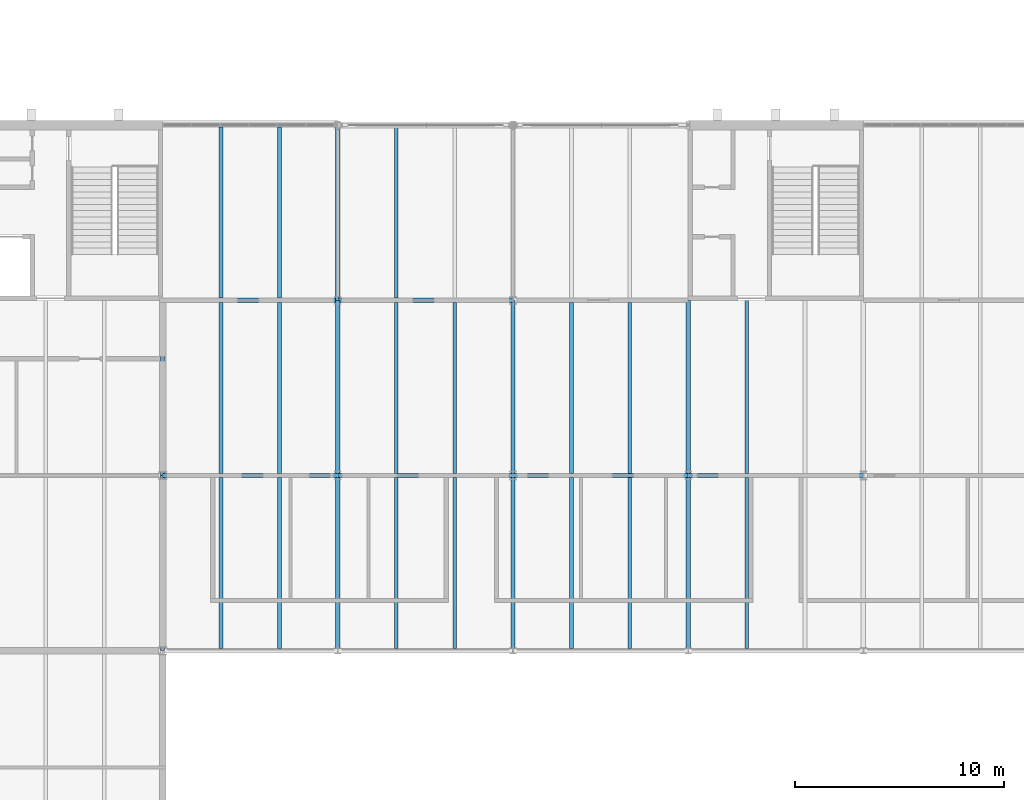
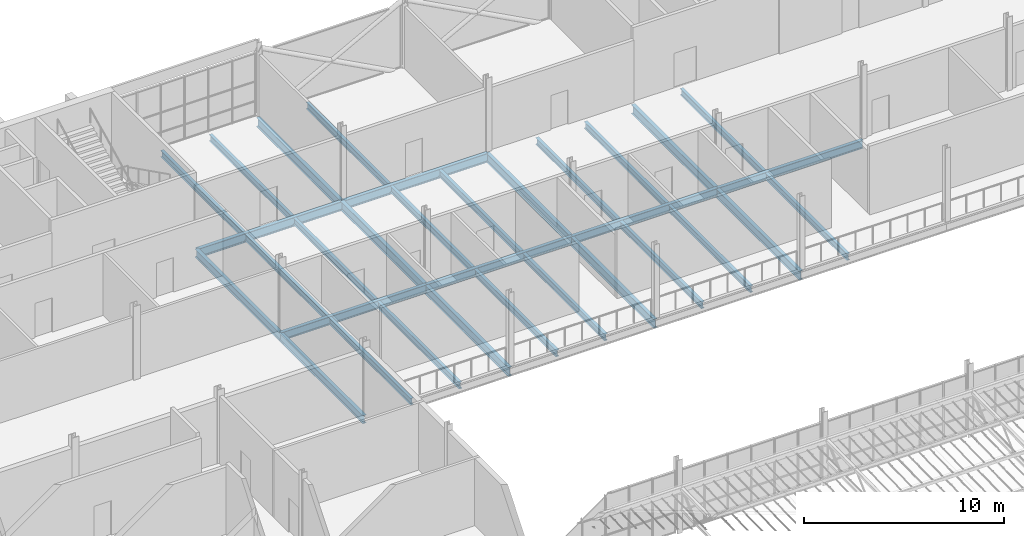
# One storey, part 48 of 129: 32 beams.
"""IFC4 building model written with IfcOpenShell, lengths in metres."""

from ifc_helpers import new_model, si_unit, direction, frame, origin, origin_2d, place, context, subcontext, project, spatial, i_section, extrude, material, material_profile, profile_set, type_object, element, save


model = new_model("IFC4")

# Units and contexts
model_context = context("Model", 3, precision=1e-05, world=origin(), true_north=direction((0.0, 1.0)))
body_context = subcontext(model_context, "Body", "Model", "MODEL_VIEW")
ifc_project = project(units=[si_unit("LENGTHUNIT", "METRE"), si_unit("AREAUNIT", "SQUARE_METRE"), si_unit("VOLUMEUNIT", "CUBIC_METRE"), si_unit("PLANEANGLEUNIT", "RADIAN"), si_unit("MASSUNIT", "GRAM", prefix="KILO")], contexts=[model_context])

# Site, building, storey
site_placement = place(None, origin())
site = spatial("IfcSite", under=ifc_project, at=site_placement, CompositionType="ELEMENT")
building_placement = place(site_placement, origin())
building = spatial("IfcBuilding", under=site, at=building_placement, Name="Ardhachandra Cancer Care Centre", CompositionType="ELEMENT")
storey_placement = place(building_placement, frame((0.0, 0.0, 4.5)))
storey = spatial("IfcBuildingStorey", under=building, at=storey_placement, Name="L01", CompositionType="ELEMENT", Elevation=4.5)

# Beams
ifc_material_1 = material(Name="Steel E350 (IS 2062)", Category="steel")
ifc_material_profile_1 = material_profile(ifc_material_1, i_section(OverallWidth=0.179931640625, OverallDepth=0.39990234375, WebThickness=0.008544921875, FlangeThickness=0.013427734375, FilletRadius=0.02099609375, at=origin_2d()), Name="NPB 400x180x66.30")
ifc_profile_set_1 = profile_set([ifc_material_profile_1], Name="Steel E350 (IS 2062)")
beam_type_1 = type_object("IfcBeamType", Name="Beam NPB 400x180x66.30", PredefinedType="BEAM", material=ifc_profile_set_1)
beam_1_placement = place(storey_placement, frame((47.199951171875, 71.5, -0.35009765625), z_axis=(0.0, 1.0, 0.0), x_axis=(-1.0, 0.0, 0.0)))
element("IfcBeam", 1, at=beam_1_placement, inside=storey, type_object=beam_type_1, Name="Secondary H5-J5@2800", PredefinedType="BEAM", context=body_context, shape_type="SweptSolid", body=[
    extrude(i_section(OverallWidth=0.179931640625, OverallDepth=0.39990234375, WebThickness=0.008544921875, FlangeThickness=0.013427734375, FilletRadius=0.02099609375, at=origin_2d()), origin(), (0.0, 0.0, 1.0), 8.199951171875),
])
for number, where, z_axis, x_axis, name in (
    (2, (47.199951171875, 79.89990234375, -0.35009765625), (0.0, 1.0, 0.0), (-1.0, 0.0, 0.0), "Secondary J5-K5@2800"),
    (3, (47.199951171875, 88.304931640625, -0.35009765625), (0.0, 1.0, 0.0), (-1.0, 0.0, 0.0), "Secondary K5-L5@2800"),
):
    element("IfcBeam", number, at=place(storey_placement, frame(where, z_axis=z_axis, x_axis=x_axis)), inside=storey, type_object=beam_type_1, Name=name, PredefinedType="BEAM", context=body_context, shape_type="SweptSolid", body=[
        extrude(i_section(OverallWidth=0.179931640625, OverallDepth=0.39990234375, WebThickness=0.008544921875, FlangeThickness=0.013427734375, FilletRadius=0.02099609375, at=origin_2d()), origin(), (0.0, 0.0, 1.0), 8.195068359375),
    ])
beam_2_placement = place(storey_placement, frame((50.0, 71.5, -0.35009765625), z_axis=(0.0, 1.0, 0.0), x_axis=(-1.0, 0.0, 0.0)))
element("IfcBeam", 4, at=beam_2_placement, inside=storey, type_object=beam_type_1, Name="Secondary H5-J5@5600", PredefinedType="BEAM", context=body_context, shape_type="SweptSolid", body=[
    extrude(i_section(OverallWidth=0.179931640625, OverallDepth=0.39990234375, WebThickness=0.008544921875, FlangeThickness=0.013427734375, FilletRadius=0.02099609375, at=origin_2d()), origin(), (0.0, 0.0, 1.0), 8.199951171875),
])
for number, where, z_axis, x_axis, name in (
    (5, (50.0, 79.89990234375, -0.35009765625), (0.0, 1.0, 0.0), (-1.0, 0.0, 0.0), "Secondary J5-K5@5600"),
    (6, (50.0, 88.304931640625, -0.35009765625), (0.0, 1.0, 0.0), (-1.0, 0.0, 0.0), "Secondary K5-L5@5600"),
):
    element("IfcBeam", number, at=place(storey_placement, frame(where, z_axis=z_axis, x_axis=x_axis)), inside=storey, type_object=beam_type_1, Name=name, PredefinedType="BEAM", context=body_context, shape_type="SweptSolid", body=[
        extrude(i_section(OverallWidth=0.179931640625, OverallDepth=0.39990234375, WebThickness=0.008544921875, FlangeThickness=0.013427734375, FilletRadius=0.02099609375, at=origin_2d()), origin(), (0.0, 0.0, 1.0), 8.195068359375),
    ])
beam_3_placement = place(storey_placement, frame((55.60009765625, 71.5, -0.35009765625), z_axis=(0.0, 1.0, 0.0), x_axis=(-1.0, 0.0, 0.0)))
element("IfcBeam", 7, at=beam_3_placement, inside=storey, type_object=beam_type_1, Name="Secondary H6-J6@2800", PredefinedType="BEAM", context=body_context, shape_type="SweptSolid", body=[
    extrude(i_section(OverallWidth=0.179931640625, OverallDepth=0.39990234375, WebThickness=0.008544921875, FlangeThickness=0.013427734375, FilletRadius=0.02099609375, at=origin_2d()), origin(), (0.0, 0.0, 1.0), 8.199951171875),
])
for number, where, z_axis, x_axis, name in (
    (8, (55.60009765625, 79.89990234375, -0.35009765625), (0.0, 1.0, 0.0), (-1.0, 0.0, 0.0), "Secondary J6-K6@2800"),
    (9, (55.60009765625, 88.304931640625, -0.35009765625), (0.0, 1.0, 0.0), (-1.0, 0.0, 0.0), "Secondary K6-L6@2800"),
):
    element("IfcBeam", number, at=place(storey_placement, frame(where, z_axis=z_axis, x_axis=x_axis)), inside=storey, type_object=beam_type_1, Name=name, PredefinedType="BEAM", context=body_context, shape_type="SweptSolid", body=[
        extrude(i_section(OverallWidth=0.179931640625, OverallDepth=0.39990234375, WebThickness=0.008544921875, FlangeThickness=0.013427734375, FilletRadius=0.02099609375, at=origin_2d()), origin(), (0.0, 0.0, 1.0), 8.195068359375),
    ])
beam_4_placement = place(storey_placement, frame((58.39990234375, 71.5, -0.35009765625), z_axis=(0.0, 1.0, 0.0), x_axis=(-1.0, 0.0, 0.0)))
element("IfcBeam", 10, at=beam_4_placement, inside=storey, type_object=beam_type_1, Name="Secondary H6-J6@5600", PredefinedType="BEAM", context=body_context, shape_type="SweptSolid", body=[
    extrude(i_section(OverallWidth=0.179931640625, OverallDepth=0.39990234375, WebThickness=0.008544921875, FlangeThickness=0.013427734375, FilletRadius=0.02099609375, at=origin_2d()), origin(), (0.0, 0.0, 1.0), 8.199951171875),
])
beam_5_placement = place(storey_placement, frame((58.39990234375, 79.89990234375, -0.35009765625), z_axis=(0.0, 1.0, 0.0), x_axis=(-1.0, 0.0, 0.0)))
element("IfcBeam", 11, at=beam_5_placement, inside=storey, type_object=beam_type_1, Name="Secondary J6-K6@5600", PredefinedType="BEAM", context=body_context, shape_type="SweptSolid", body=[
    extrude(i_section(OverallWidth=0.179931640625, OverallDepth=0.39990234375, WebThickness=0.008544921875, FlangeThickness=0.013427734375, FilletRadius=0.02099609375, at=origin_2d()), origin(), (0.0, 0.0, 1.0), 8.195068359375),
])
beam_6_placement = place(storey_placement, frame((64.0, 71.5, -0.35009765625), z_axis=(0.0, 1.0, 0.0), x_axis=(-1.0, 0.0, 0.0)))
element("IfcBeam", 12, at=beam_6_placement, inside=storey, type_object=beam_type_1, Name="Secondary H7-J7@2800", PredefinedType="BEAM", context=body_context, shape_type="SweptSolid", body=[
    extrude(i_section(OverallWidth=0.179931640625, OverallDepth=0.39990234375, WebThickness=0.008544921875, FlangeThickness=0.013427734375, FilletRadius=0.02099609375, at=origin_2d()), origin(), (0.0, 0.0, 1.0), 8.199951171875),
])
beam_7_placement = place(storey_placement, frame((64.0, 79.89990234375, -0.35009765625), z_axis=(0.0, 1.0, 0.0), x_axis=(-1.0, 0.0, 0.0)))
element("IfcBeam", 13, at=beam_7_placement, inside=storey, type_object=beam_type_1, Name="Secondary J7-K7@2800", PredefinedType="BEAM", context=body_context, shape_type="SweptSolid", body=[
    extrude(i_section(OverallWidth=0.179931640625, OverallDepth=0.39990234375, WebThickness=0.008544921875, FlangeThickness=0.013427734375, FilletRadius=0.02099609375, at=origin_2d()), origin(), (0.0, 0.0, 1.0), 8.195068359375),
])
beam_8_placement = place(storey_placement, frame((66.800048828125, 71.5, -0.35009765625), z_axis=(0.0, 1.0, 0.0), x_axis=(-1.0, 0.0, 0.0)))
element("IfcBeam", 14, at=beam_8_placement, inside=storey, type_object=beam_type_1, Name="Secondary H7-J7@5600", PredefinedType="BEAM", context=body_context, shape_type="SweptSolid", body=[
    extrude(i_section(OverallWidth=0.179931640625, OverallDepth=0.39990234375, WebThickness=0.008544921875, FlangeThickness=0.013427734375, FilletRadius=0.02099609375, at=origin_2d()), origin(), (0.0, 0.0, 1.0), 8.199951171875),
])
beam_9_placement = place(storey_placement, frame((66.800048828125, 79.89990234375, -0.35009765625), z_axis=(0.0, 1.0, 0.0), x_axis=(-1.0, 0.0, 0.0)))
element("IfcBeam", 15, at=beam_9_placement, inside=storey, type_object=beam_type_1, Name="Secondary J7-K7@5600", PredefinedType="BEAM", context=body_context, shape_type="SweptSolid", body=[
    extrude(i_section(OverallWidth=0.179931640625, OverallDepth=0.39990234375, WebThickness=0.008544921875, FlangeThickness=0.013427734375, FilletRadius=0.02099609375, at=origin_2d()), origin(), (0.0, 0.0, 1.0), 8.195068359375),
])
beam_10_placement = place(storey_placement, frame((72.39990234375, 71.5, -0.35009765625), z_axis=(0.0, 1.0, 0.0), x_axis=(-1.0, 0.0, 0.0)))
element("IfcBeam", 16, at=beam_10_placement, inside=storey, type_object=beam_type_1, Name="Secondary H8-J8@2800", PredefinedType="BEAM", context=body_context, shape_type="SweptSolid", body=[
    extrude(i_section(OverallWidth=0.179931640625, OverallDepth=0.39990234375, WebThickness=0.008544921875, FlangeThickness=0.013427734375, FilletRadius=0.02099609375, at=origin_2d()), origin(), (0.0, 0.0, 1.0), 8.199951171875),
])
beam_11_placement = place(storey_placement, frame((72.39990234375, 79.89990234375, -0.35009765625), z_axis=(0.0, 1.0, 0.0), x_axis=(-1.0, 0.0, 0.0)))
element("IfcBeam", 17, at=beam_11_placement, inside=storey, type_object=beam_type_1, Name="Secondary J8-K8@2800", PredefinedType="BEAM", context=body_context, shape_type="SweptSolid", body=[
    extrude(i_section(OverallWidth=0.179931640625, OverallDepth=0.39990234375, WebThickness=0.008544921875, FlangeThickness=0.013427734375, FilletRadius=0.02099609375, at=origin_2d()), origin(), (0.0, 0.0, 1.0), 8.300048828125),
])
ifc_material_2 = material(Name="Steel E350 (IS 2062)", Category="steel")
ifc_material_profile_2 = material_profile(ifc_material_2, i_section(OverallWidth=0.199951171875, OverallDepth=0.5, WebThickness=0.01025390625, FlangeThickness=0.01611328125, FilletRadius=0.02099609375, at=origin_2d()), Name="NPB 500x200x90.68")
ifc_profile_set_2 = profile_set([ifc_material_profile_2], Name="Steel E350 (IS 2062)")
beam_type_2 = type_object("IfcBeamType", Name="Beam NPB 500x200x90.68", PredefinedType="BEAM", material=ifc_profile_set_2)
beam_12_placement = place(storey_placement, frame((44.39990234375, 79.800048828125, -0.39990234375), z_axis=(1.0, 0.0, 0.0), x_axis=(0.0, 1.0, 0.0)))
element("IfcBeam", 18, at=beam_12_placement, inside=storey, type_object=beam_type_2, Name="Edge girder J5-J6", PredefinedType="BEAM", context=body_context, shape_type="SweptSolid", body=[
    extrude(i_section(OverallWidth=0.199951171875, OverallDepth=0.5, WebThickness=0.01025390625, FlangeThickness=0.01611328125, FilletRadius=0.02099609375, at=origin_2d()), origin(), (0.0, 0.0, 1.0), 8.400146484375),
])
beam_13_placement = place(storey_placement, frame((52.800048828125, 79.800048828125, -0.39990234375), z_axis=(1.0, 0.0, 0.0), x_axis=(0.0, 1.0, 0.0)))
element("IfcBeam", 19, at=beam_13_placement, inside=storey, type_object=beam_type_2, Name="Edge girder J6-J7", PredefinedType="BEAM", context=body_context, shape_type="SweptSolid", body=[
    extrude(i_section(OverallWidth=0.199951171875, OverallDepth=0.5, WebThickness=0.01025390625, FlangeThickness=0.01611328125, FilletRadius=0.02099609375, at=origin_2d()), origin(), (0.0, 0.0, 1.0), 8.39990234375),
])
beam_14_placement = place(storey_placement, frame((61.199951171875, 79.800048828125, -0.39990234375), z_axis=(1.0, 0.0, 0.0), x_axis=(0.0, 1.0, 0.0)))
element("IfcBeam", 20, at=beam_14_placement, inside=storey, type_object=beam_type_2, Name="Edge girder J7-J8", PredefinedType="BEAM", context=body_context, shape_type="SweptSolid", body=[
    extrude(i_section(OverallWidth=0.199951171875, OverallDepth=0.5, WebThickness=0.01025390625, FlangeThickness=0.01611328125, FilletRadius=0.02099609375, at=origin_2d()), origin(), (0.0, 0.0, 1.0), 8.400146484375),
])
beam_15_placement = place(storey_placement, frame((69.60009765625, 79.800048828125, -0.39990234375), z_axis=(1.0, 0.0, 0.0), x_axis=(0.0, 1.0, 0.0)))
element("IfcBeam", 21, at=beam_15_placement, inside=storey, type_object=beam_type_2, Name="Edge girder J8-J9", PredefinedType="BEAM", context=body_context, shape_type="SweptSolid", body=[
    extrude(i_section(OverallWidth=0.199951171875, OverallDepth=0.5, WebThickness=0.01025390625, FlangeThickness=0.01611328125, FilletRadius=0.02099609375, at=origin_2d()), origin(), (0.0, 0.0, 1.0), 8.39990234375),
])
beam_16_placement = place(storey_placement, frame((44.39990234375, 71.39990234375, -0.39990234375), z_axis=(0.0, 1.0, 0.0), x_axis=(-1.0, 0.0, 0.0)))
element("IfcBeam", 22, at=beam_16_placement, inside=storey, type_object=beam_type_2, Name="Edge girder H5-J5", PredefinedType="BEAM", context=body_context, shape_type="SweptSolid", body=[
    extrude(i_section(OverallWidth=0.199951171875, OverallDepth=0.5, WebThickness=0.01025390625, FlangeThickness=0.01611328125, FilletRadius=0.02099609375, at=origin_2d()), origin(), (0.0, 0.0, 1.0), 8.400146484375),
])
beam_17_placement = place(storey_placement, frame((44.39990234375, 79.800048828125, -0.39990234375), z_axis=(0.0, 1.0, 0.0), x_axis=(-1.0, 0.0, 0.0)))
element("IfcBeam", 23, at=beam_17_placement, inside=storey, type_object=beam_type_2, Name="Edge girder J5-K5", PredefinedType="BEAM", context=body_context, shape_type="SweptSolid", body=[
    extrude(i_section(OverallWidth=0.199951171875, OverallDepth=0.5, WebThickness=0.01025390625, FlangeThickness=0.01611328125, FilletRadius=0.02099609375, at=origin_2d()), origin(), (0.0, 0.0, 1.0), 8.39990234375),
])
ifc_material_3 = material(Name="Steel E350 (IS 2062)", Category="steel")
ifc_material_profile_3 = material_profile(ifc_material_3, i_section(OverallWidth=0.2099609375, OverallDepth=0.550048828125, WebThickness=0.010986328125, FlangeThickness=0.01708984375, FilletRadius=0.02392578125, at=origin_2d()), Name="NPB 550x210x105.52")
ifc_profile_set_3 = profile_set([ifc_material_profile_3], Name="Steel E350 (IS 2062)")
beam_type_3 = type_object("IfcBeamType", Name="Beam NPB 550x210x105.52", PredefinedType="BEAM", material=ifc_profile_set_3)
beam_18_placement = place(storey_placement, frame((44.39990234375, 88.199951171875, -0.425048828125), z_axis=(1.0, 0.0, 0.0), x_axis=(0.0, 1.0, 0.0)))
element("IfcBeam", 24, at=beam_18_placement, inside=storey, type_object=beam_type_3, Name="Girder K5-K6", PredefinedType="BEAM", context=body_context, shape_type="SweptSolid", body=[
    extrude(i_section(OverallWidth=0.2099609375, OverallDepth=0.550048828125, WebThickness=0.010986328125, FlangeThickness=0.01708984375, FilletRadius=0.02392578125, at=origin_2d()), origin(), (0.0, 0.0, 1.0), 8.400146484375),
])
beam_19_placement = place(storey_placement, frame((52.800048828125, 88.199951171875, -0.425048828125), z_axis=(1.0, 0.0, 0.0), x_axis=(0.0, 1.0, 0.0)))
element("IfcBeam", 25, at=beam_19_placement, inside=storey, type_object=beam_type_3, Name="Girder K6-K7", PredefinedType="BEAM", context=body_context, shape_type="SweptSolid", body=[
    extrude(i_section(OverallWidth=0.2099609375, OverallDepth=0.550048828125, WebThickness=0.010986328125, FlangeThickness=0.01708984375, FilletRadius=0.02392578125, at=origin_2d()), origin(), (0.0, 0.0, 1.0), 8.39990234375),
])
beam_20_placement = place(storey_placement, frame((52.800048828125, 71.39990234375, -0.425048828125), z_axis=(0.0, 1.0, 0.0), x_axis=(-1.0, 0.0, 0.0)))
element("IfcBeam", 26, at=beam_20_placement, inside=storey, type_object=beam_type_3, Name="Girder H6-J6", PredefinedType="BEAM", context=body_context, shape_type="SweptSolid", body=[
    extrude(i_section(OverallWidth=0.2099609375, OverallDepth=0.550048828125, WebThickness=0.010986328125, FlangeThickness=0.01708984375, FilletRadius=0.02392578125, at=origin_2d()), origin(), (0.0, 0.0, 1.0), 8.400146484375),
])
beam_21_placement = place(storey_placement, frame((52.800048828125, 79.800048828125, -0.425048828125), z_axis=(0.0, 1.0, 0.0), x_axis=(-1.0, 0.0, 0.0)))
element("IfcBeam", 27, at=beam_21_placement, inside=storey, type_object=beam_type_3, Name="Girder J6-K6", PredefinedType="BEAM", context=body_context, shape_type="SweptSolid", body=[
    extrude(i_section(OverallWidth=0.2099609375, OverallDepth=0.550048828125, WebThickness=0.010986328125, FlangeThickness=0.01708984375, FilletRadius=0.02392578125, at=origin_2d()), origin(), (0.0, 0.0, 1.0), 8.39990234375),
])
for number, where, z_axis, x_axis, name in (
    (28, (52.800048828125, 88.199951171875, -0.425048828125), (0.0, 1.0, 0.0), (-1.0, 0.0, 0.0), "Girder K6-L6"),
    (29, (61.199951171875, 71.39990234375, -0.425048828125), (0.0, 1.0, 0.0), (-1.0, 0.0, 0.0), "Girder H7-J7"),
):
    element("IfcBeam", number, at=place(storey_placement, frame(where, z_axis=z_axis, x_axis=x_axis)), inside=storey, type_object=beam_type_3, Name=name, PredefinedType="BEAM", context=body_context, shape_type="SweptSolid", body=[
        extrude(i_section(OverallWidth=0.2099609375, OverallDepth=0.550048828125, WebThickness=0.010986328125, FlangeThickness=0.01708984375, FilletRadius=0.02392578125, at=origin_2d()), origin(), (0.0, 0.0, 1.0), 8.400146484375),
    ])
beam_22_placement = place(storey_placement, frame((61.199951171875, 79.800048828125, -0.425048828125), z_axis=(0.0, 1.0, 0.0), x_axis=(-1.0, 0.0, 0.0)))
element("IfcBeam", 30, at=beam_22_placement, inside=storey, type_object=beam_type_3, Name="Girder J7-K7", PredefinedType="BEAM", context=body_context, shape_type="SweptSolid", body=[
    extrude(i_section(OverallWidth=0.2099609375, OverallDepth=0.550048828125, WebThickness=0.010986328125, FlangeThickness=0.01708984375, FilletRadius=0.02392578125, at=origin_2d()), origin(), (0.0, 0.0, 1.0), 8.39990234375),
])
beam_23_placement = place(storey_placement, frame((69.60009765625, 71.39990234375, -0.425048828125), z_axis=(0.0, 1.0, 0.0), x_axis=(-1.0, 0.0, 0.0)))
element("IfcBeam", 31, at=beam_23_placement, inside=storey, type_object=beam_type_3, Name="Girder H8-J8", PredefinedType="BEAM", context=body_context, shape_type="SweptSolid", body=[
    extrude(i_section(OverallWidth=0.2099609375, OverallDepth=0.550048828125, WebThickness=0.010986328125, FlangeThickness=0.01708984375, FilletRadius=0.02392578125, at=origin_2d()), origin(), (0.0, 0.0, 1.0), 8.400146484375),
])
beam_24_placement = place(storey_placement, frame((69.60009765625, 79.800048828125, -0.425048828125), z_axis=(0.0, 1.0, 0.0), x_axis=(-1.0, 0.0, 0.0)))
element("IfcBeam", 32, at=beam_24_placement, inside=storey, type_object=beam_type_3, Name="Girder J8-K8", PredefinedType="BEAM", context=body_context, shape_type="SweptSolid", body=[
    extrude(i_section(OverallWidth=0.2099609375, OverallDepth=0.550048828125, WebThickness=0.010986328125, FlangeThickness=0.01708984375, FilletRadius=0.02392578125, at=origin_2d()), origin(), (0.0, 0.0, 1.0), 8.39990234375),
])

save(model, "model.ifc")
